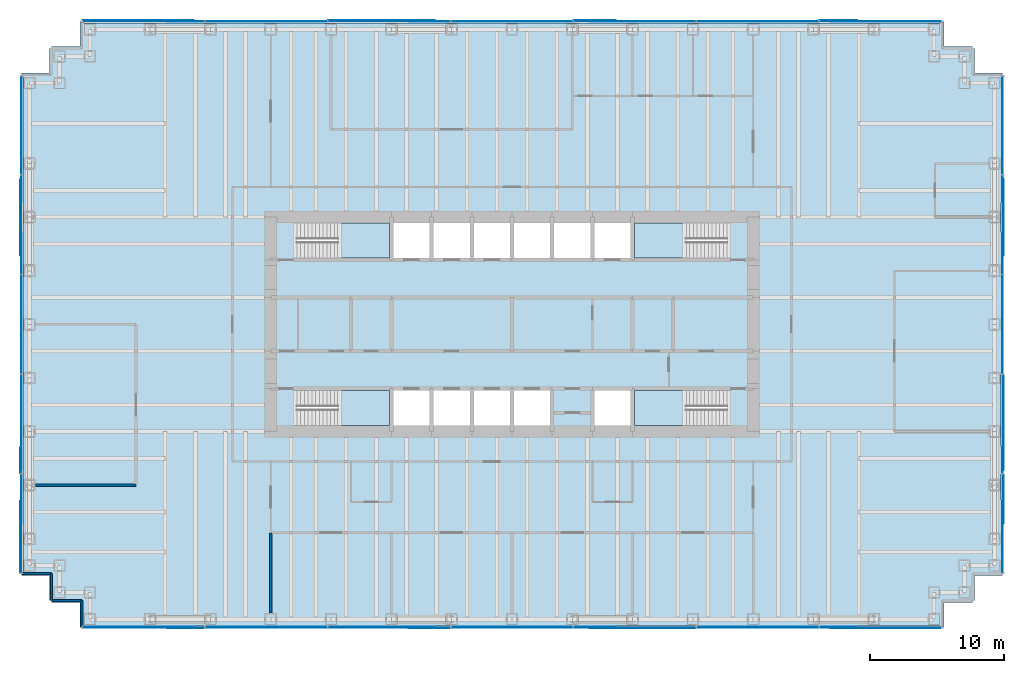
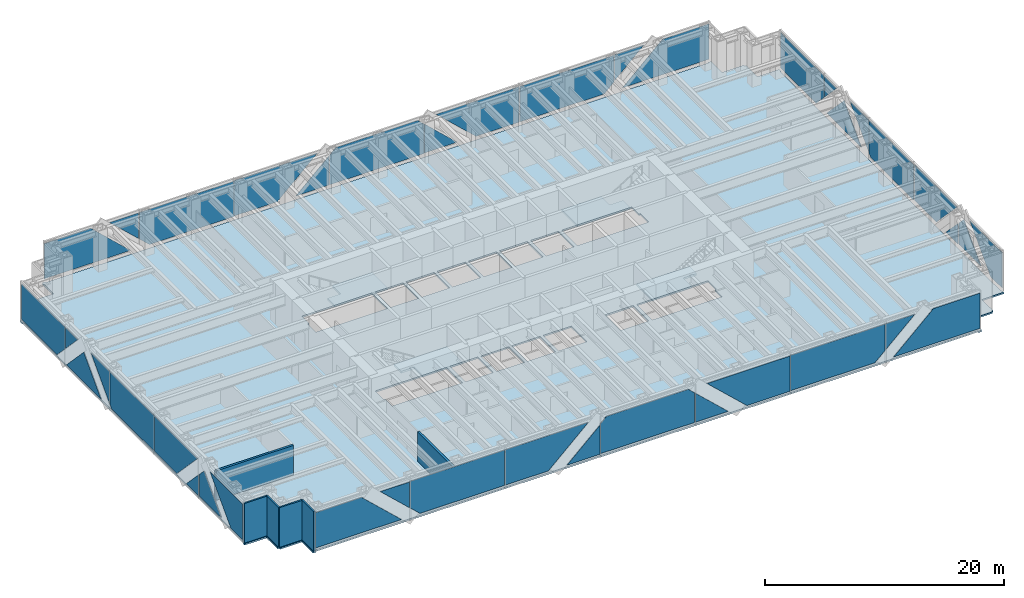
# One storey, part 10 of 15: 40 plates, 6 walls, 5 slabs, 8 elements without a shape of their own.
"""IFC4 building model written with IfcOpenShell, lengths in metres."""

from ifc_helpers import new_model, si_unit, direction, frame, frame_2d, origin, place, context, subcontext, project, spatial, polyline, rectangle, outline, extrude, material, layer, layer_set, type_object, element, aggregate, save


model = new_model("IFC4")

# Units and contexts
model_context = context("Model", 3, precision=1e-05, world=origin(), true_north=direction((0.0, 1.0)))
body_context = subcontext(model_context, "Body", "Model", "MODEL_VIEW")
ifc_project = project(units=[si_unit("LENGTHUNIT", "METRE"), si_unit("AREAUNIT", "SQUARE_METRE"), si_unit("VOLUMEUNIT", "CUBIC_METRE"), si_unit("PLANEANGLEUNIT", "RADIAN"), si_unit("MASSUNIT", "GRAM", prefix="KILO")], contexts=[model_context])

# Site, building, storey
site_placement = place(None, origin())
site = spatial("IfcSite", under=ifc_project, at=site_placement, CompositionType="ELEMENT")
building_placement = place(site_placement, origin())
building = spatial("IfcBuilding", under=site, at=building_placement, Name="Rheinbord Bourse Tower", CompositionType="ELEMENT")
storey_placement = place(building_placement, frame((0.0, 0.0, 146.699951171875)))
storey = spatial("IfcBuildingStorey", under=building, at=storey_placement, Name="L32", CompositionType="ELEMENT", Elevation=146.699951171875)

# Slab
ifc_material_1 = material(Name="Concrete C30/37", Category="concrete")
ifc_layer_1 = layer(ifc_material_1, 0.159912109375)
ifc_layer_set_1 = layer_set([ifc_layer_1], Name="COMPOSITE FLOOR SLAB 160")
slab_type_1 = type_object("IfcSlabType", Name="COMPOSITE FLOOR SLAB 160", PredefinedType="FLOOR", material=ifc_layer_set_1)
slab_1_placement = place(storey_placement, frame((0.0, 0.0, -0.159912109375)))
element("IfcSlab", 1, at=slab_1_placement, inside=storey, type_object=slab_type_1, Name="Floor slab L32", PredefinedType="FLOOR", context=body_context, shape_type="SweptSolid", body=[
    extrude(outline(polyline([(1.64990234375, 3.39990234375), (1.5, 3.39990234375), (1.5, 5.25), (-0.60009765625, 5.25), (-0.60009765625, 5.550048828125), (-0.5, 5.550048828125), (-0.5, 42.449951171875), (-0.60009765625, 42.449951171875), (-0.60009765625, 42.75), (1.5, 42.75), (1.5, 44.60009765625), (1.64990234375, 44.60009765625), (1.64990234375, 44.75), (3.75, 44.75), (3.75, 46.60009765625), (4.050048828125, 46.60009765625), (4.050048828125, 46.5), (67.949951171875, 46.5), (67.949951171875, 46.60009765625), (68.25, 46.60009765625), (68.25, 44.75), (70.35009765625, 44.75), (70.35009765625, 44.60009765625), (70.5, 44.60009765625), (70.5, 42.75), (72.60009765625, 42.75), (72.60009765625, 42.449951171875), (72.5, 42.449951171875), (72.5, 5.550048828125), (72.60009765625, 5.550048828125), (72.60009765625, 5.25), (70.5, 5.25), (70.5, 3.39990234375), (70.35009765625, 3.39990234375), (70.35009765625, 3.25), (68.25, 3.25), (68.25, 1.39990234375), (67.949951171875, 1.39990234375), (67.949951171875, 1.5), (4.050048828125, 1.5), (4.050048828125, 1.39990234375), (3.75, 1.39990234375), (3.75, 3.25), (1.64990234375, 3.25), (1.64990234375, 3.39990234375)]), holes=[polyline([(19.949951171875, 19.050048828125), (26.85009765625, 19.050048828125), (26.85009765625, 16.449951171875), (20.10009765625, 16.449951171875), (20.10009765625, 17.64990234375), (19.949951171875, 17.64990234375), (19.949951171875, 19.050048828125)]), polyline([(26.85009765625, 31.550048828125), (26.85009765625, 28.949951171875), (19.949951171875, 28.949951171875), (19.949951171875, 30.35009765625), (20.10009765625, 30.35009765625), (20.10009765625, 31.550048828125), (26.85009765625, 31.550048828125)]), polyline([(45.14990234375, 16.449951171875), (45.14990234375, 19.050048828125), (52.050048828125, 19.050048828125), (52.050048828125, 17.64990234375), (51.89990234375, 17.64990234375), (51.89990234375, 16.449951171875), (45.14990234375, 16.449951171875)]), polyline([(52.050048828125, 28.949951171875), (45.14990234375, 28.949951171875), (45.14990234375, 31.550048828125), (51.89990234375, 31.550048828125), (51.89990234375, 30.35009765625), (52.050048828125, 30.35009765625), (52.050048828125, 28.949951171875)]), polyline([(27.14990234375, 16.449951171875), (27.14990234375, 19.050048828125), (29.85009765625, 19.050048828125), (29.85009765625, 16.449951171875), (27.14990234375, 16.449951171875)]), polyline([(27.14990234375, 28.949951171875), (27.14990234375, 31.550048828125), (29.85009765625, 31.550048828125), (29.85009765625, 28.949951171875), (27.14990234375, 28.949951171875)]), polyline([(30.14990234375, 16.449951171875), (30.14990234375, 19.050048828125), (32.85009765625, 19.050048828125), (32.85009765625, 16.449951171875), (30.14990234375, 16.449951171875)]), polyline([(30.14990234375, 28.949951171875), (30.14990234375, 31.550048828125), (32.85009765625, 31.550048828125), (32.85009765625, 28.949951171875), (30.14990234375, 28.949951171875)]), polyline([(33.14990234375, 16.449951171875), (33.14990234375, 19.050048828125), (35.85009765625, 19.050048828125), (35.85009765625, 16.449951171875), (33.14990234375, 16.449951171875)]), polyline([(33.14990234375, 28.949951171875), (33.14990234375, 31.550048828125), (35.85009765625, 31.550048828125), (35.85009765625, 28.949951171875), (33.14990234375, 28.949951171875)]), polyline([(36.14990234375, 16.449951171875), (36.14990234375, 19.050048828125), (38.85009765625, 19.050048828125), (38.85009765625, 16.449951171875), (36.14990234375, 16.449951171875)]), polyline([(36.14990234375, 28.949951171875), (36.14990234375, 31.550048828125), (38.85009765625, 31.550048828125), (38.85009765625, 28.949951171875), (36.14990234375, 28.949951171875)]), polyline([(39.14990234375, 28.949951171875), (39.14990234375, 31.550048828125), (41.85009765625, 31.550048828125), (41.85009765625, 28.949951171875), (39.14990234375, 28.949951171875)]), polyline([(42.14990234375, 16.449951171875), (42.14990234375, 19.050048828125), (44.85009765625, 19.050048828125), (44.85009765625, 16.449951171875), (42.14990234375, 16.449951171875)]), polyline([(42.14990234375, 28.949951171875), (42.14990234375, 31.550048828125), (44.85009765625, 31.550048828125), (44.85009765625, 28.949951171875), (42.14990234375, 28.949951171875)])]), origin(), (0.0, 0.0, 1.0), 0.159912109375),
])

# Curtain wall, plates
ifc_material_2 = material(Name="Dark glass and black aluminium", Category="aluminium")
curtain_wall_type = type_object("IfcCurtainWallType", Name="CW2 DARK GLASS CURTAIN WALL", PredefinedType="USERDEFINED", material=ifc_material_2)
curtain_wall_1_placement = place(storey_placement, origin())
curtain_wall_1 = element("IfcCurtainWall", 2, at=curtain_wall_1_placement, inside=storey, type_object=curtain_wall_type, Name="Curtain wall CW2 S L32", ObjectType="UNITISED CURTAIN WALL", PredefinedType="USERDEFINED")
ifc_material_3 = material(Name="Dark tinted triple insulating glass", Category="glass")
ifc_layer_2 = layer(ifc_material_3, 0.050048828125)
ifc_layer_set_2 = layer_set([ifc_layer_2], Name="CW2 DARK GLASS PANEL")
plate_type = type_object("IfcPlateType", Name="CW2 DARK GLASS PANEL", PredefinedType="CURTAIN_PANEL", material=ifc_layer_set_2)
plate_1_placement = place(storey_placement, frame((3.969970703125, 1.375, 0.300048828125), z_axis=(0.0, 1.0, 0.0), x_axis=(0.0, 0.0, 1.0)))
plate_1 = element("IfcPlate", 3, at=plate_1_placement, type_object=plate_type, Name="CW2 glass facet 1", PredefinedType="CURTAIN_PANEL", context=body_context, shape_type="SweptSolid", body=[
    extrude(outline(polyline([(0.0, 0.0), (3.60009765625, 0.0), (3.60009765625, 4.465087890625), (0.0, 8.322021484375), (0.0, 0.0)])), origin(), (0.0, 0.0, 1.0), 0.050048828125),
])
plate_2_placement = place(storey_placement, frame((13.035888671875, 1.31982421875, 3.900146484375), z_axis=(0.0, 1.0, 0.0), x_axis=(0.0, 0.0, -1.0)))
plate_2 = element("IfcPlate", 4, at=plate_2_placement, type_object=plate_type, Name="CW2 glass facet 2", PredefinedType="CURTAIN_PANEL", context=body_context, shape_type="SweptSolid", body=[
    extrude(outline(polyline([(0.0, 0.0), (2.64013671875, 0.0), (0.0, 2.827880859375), (0.0, 0.0)])), origin(), (0.0, 0.0, 1.0), 0.050048828125),
])
plate_3_placement = place(storey_placement, frame((13.10595703125, 1.375, 3.900146484375), z_axis=(0.0, 1.0, 0.0), x_axis=(1.0, 0.0, 0.0)))
plate_3 = element("IfcPlate", 5, at=plate_3_placement, type_object=plate_type, Name="CW2 glass facet 1", PredefinedType="CURTAIN_PANEL", context=body_context, shape_type="SweptSolid", body=[
    extrude(outline(polyline([(0.0, 0.0), (9.10205078125, 0.0), (9.10205078125, 3.60009765625), (0.958984375, 3.60009765625), (0.0, 2.705078125), (0.0, 0.0)])), origin(), (0.0, 0.0, 1.0), 0.050048828125),
])
plate_4_placement = place(storey_placement, frame((22.278076171875, 1.375, 0.300048828125), z_axis=(0.0, 1.0, 0.0), x_axis=(0.0, 0.0, 1.0)))
plate_4 = element("IfcPlate", 6, at=plate_4_placement, type_object=plate_type, Name="CW2 glass facet 1", PredefinedType="CURTAIN_PANEL", context=body_context, shape_type="SweptSolid", body=[
    extrude(outline(polyline([(0.0, 0.0), (3.60009765625, 0.0), (3.60009765625, 8.013916015625), (0.0, 4.156982421875), (0.0, 0.0)])), origin(), (0.0, 0.0, 1.0), 0.050048828125),
])
plate_5_placement = place(storey_placement, frame((31.37890625, 1.31982421875, 0.300048828125), z_axis=(0.0, 1.0, 0.0), x_axis=(-1.0, 0.0, 0.0)))
plate_5 = element("IfcPlate", 7, at=plate_5_placement, type_object=plate_type, Name="CW2 glass facet 2", PredefinedType="CURTAIN_PANEL", context=body_context, shape_type="SweptSolid", body=[
    extrude(outline(polyline([(0.0, 0.0), (3.1708984375, 0.0), (0.0, 2.9599609375), (0.0, 0.0)])), origin(), (0.0, 0.0, 1.0), 0.050048828125),
])
plate_6_placement = place(storey_placement, frame((40.551025390625, 1.375, 0.300048828125), z_axis=(0.0, 1.0, 0.0), x_axis=(-1.0, 0.0, 0.0)))
plate_6 = element("IfcPlate", 8, at=plate_6_placement, type_object=plate_type, Name="CW2 glass facet 1", PredefinedType="CURTAIN_PANEL", context=body_context, shape_type="SweptSolid", body=[
    extrude(outline(polyline([(0.0, 0.0), (9.10205078125, 0.0), (9.10205078125, 3.02490234375), (8.486083984375, 3.60009765625), (0.615966796875, 3.60009765625), (0.0, 3.02490234375), (0.0, 0.0)])), origin(), (0.0, 0.0, 1.0), 0.050048828125),
])
plate_7_placement = place(storey_placement, frame((40.62109375, 1.375, 0.300048828125), z_axis=(0.0, 1.0, 0.0), x_axis=(0.0, 0.0, 1.0)))
plate_7 = element("IfcPlate", 9, at=plate_7_placement, type_object=plate_type, Name="CW2 glass facet 1", PredefinedType="CURTAIN_PANEL", context=body_context, shape_type="SweptSolid", body=[
    extrude(outline(polyline([(0.0, 0.0), (2.9599609375, 0.0), (0.0, 3.1708984375), (0.0, 0.0)])), origin(), (0.0, 0.0, 1.0), 0.050048828125),
])
plate_8_placement = place(storey_placement, frame((49.721923828125, 1.31982421875, 3.900146484375), z_axis=(0.0, 1.0, 0.0), x_axis=(0.0, 0.0, -1.0)))
plate_8 = element("IfcPlate", 10, at=plate_8_placement, type_object=plate_type, Name="CW2 glass facet 2", PredefinedType="CURTAIN_PANEL", context=body_context, shape_type="SweptSolid", body=[
    extrude(outline(polyline([(0.0, 0.0), (3.60009765625, 0.0), (3.60009765625, 4.156982421875), (0.0, 8.013916015625), (0.0, 0.0)])), origin(), (0.0, 0.0, 1.0), 0.050048828125),
])
plate_9_placement = place(storey_placement, frame((49.7919921875, 1.375, 0.300048828125), z_axis=(0.0, 1.0, 0.0), x_axis=(0.0, 0.0, 1.0)))
plate_9 = element("IfcPlate", 11, at=plate_9_placement, type_object=plate_type, Name="CW2 glass facet 1", PredefinedType="CURTAIN_PANEL", context=body_context, shape_type="SweptSolid", body=[
    extrude(outline(polyline([(0.0, 0.0), (3.60009765625, 0.0), (3.60009765625, 9.10205078125), (0.89501953125, 9.10205078125), (0.0, 8.14306640625), (0.0, 0.0)])), origin(), (0.0, 0.0, 1.0), 0.050048828125),
])
plate_10_placement = place(storey_placement, frame((58.964111328125, 1.375, 3.900146484375), z_axis=(0.0, 1.0, 0.0), x_axis=(1.0, 0.0, 0.0)))
plate_10 = element("IfcPlate", 12, at=plate_10_placement, type_object=plate_type, Name="CW2 glass facet 1", PredefinedType="CURTAIN_PANEL", context=body_context, shape_type="SweptSolid", body=[
    extrude(outline(polyline([(0.0, 0.0), (2.827880859375, 0.0), (0.0, 2.64013671875), (0.0, 0.0)])), origin(), (0.0, 0.0, 1.0), 0.050048828125),
])
plate_11_placement = place(storey_placement, frame((68.030029296875, 1.31982421875, 3.900146484375), z_axis=(0.0, 1.0, 0.0), x_axis=(0.0, 0.0, -1.0)))
plate_11 = element("IfcPlate", 13, at=plate_11_placement, type_object=plate_type, Name="CW2 glass facet 2", PredefinedType="CURTAIN_PANEL", context=body_context, shape_type="SweptSolid", body=[
    extrude(outline(polyline([(0.0, 0.0), (3.60009765625, 0.0), (3.60009765625, 8.322021484375), (0.0, 4.465087890625), (0.0, 0.0)])), origin(), (0.0, 0.0, 1.0), 0.050048828125),
])
aggregate(curtain_wall_1, [plate_1, plate_2, plate_3, plate_4, plate_5, plate_6, plate_7, plate_8, plate_9, plate_10, plate_11])

curtain_wall_2_placement = place(storey_placement, origin())
curtain_wall_2 = element("IfcCurtainWall", 14, at=curtain_wall_2_placement, inside=storey, type_object=curtain_wall_type, Name="Curtain wall CW2 E L32", ObjectType="UNITISED CURTAIN WALL", PredefinedType="USERDEFINED")
plate_12_placement = place(storey_placement, frame((72.625, 5.469970703125, 0.300048828125), z_axis=(-1.0, 0.0, 0.0), x_axis=(0.0, 0.0, 1.0)))
plate_12 = element("IfcPlate", 15, at=plate_12_placement, type_object=plate_type, Name="CW2 glass facet 1", PredefinedType="CURTAIN_PANEL", context=body_context, shape_type="SweptSolid", body=[
    extrude(outline(polyline([(0.0, 0.0), (3.60009765625, 0.0), (3.60009765625, 5.408935546875), (0.0, 1.97998046875), (0.0, 0.0)])), origin(), (0.0, 0.0, 1.0), 0.050048828125),
])
plate_13_placement = place(storey_placement, frame((72.68017578125, 12.804931640625, 0.300048828125), z_axis=(-1.0, 0.0, 0.0), x_axis=(0.0, -1.0, 0.0)))
plate_13 = element("IfcPlate", 16, at=plate_13_placement, type_object=plate_type, Name="CW2 glass facet 2", PredefinedType="CURTAIN_PANEL", context=body_context, shape_type="SweptSolid", body=[
    extrude(outline(polyline([(0.0, 0.0), (3.683837890625, 0.0), (0.804931640625, 3.02294921875), (0.0, 2.177978515625), (0.0, 0.0)])), origin(), (0.0, 0.0, 1.0), 0.050048828125),
])
plate_14_placement = place(storey_placement, frame((72.625, 12.875, 0.300048828125), z_axis=(-1.0, 0.0, 0.0), x_axis=(0.0, 0.0, 1.0)))
plate_14 = element("IfcPlate", 17, at=plate_14_placement, type_object=plate_type, Name="CW2 glass facet 1", PredefinedType="CURTAIN_PANEL", context=body_context, shape_type="SweptSolid", body=[
    extrude(outline(polyline([(0.0, 0.0), (2.10400390625, 0.0), (0.0, 2.00390625), (0.0, 0.0)])), origin(), (0.0, 0.0, 1.0), 0.050048828125),
])
plate_15_placement = place(storey_placement, frame((72.68017578125, 20.2451171875, 3.900146484375), z_axis=(-1.0, 0.0, 0.0), x_axis=(0.0, 0.0, -1.0)))
plate_15 = element("IfcPlate", 18, at=plate_15_placement, type_object=plate_type, Name="CW2 glass facet 2", PredefinedType="CURTAIN_PANEL", context=body_context, shape_type="SweptSolid", body=[
    extrude(outline(polyline([(0.0, 0.0), (3.60009765625, 0.0), (3.60009765625, 3.695068359375), (0.0, 7.1240234375), (0.0, 0.0)])), origin(), (0.0, 0.0, 1.0), 0.050048828125),
])
plate_16_placement = place(storey_placement, frame((72.625, 20.31494140625, 0.300048828125), z_axis=(-1.0, 0.0, 0.0), x_axis=(0.0, 0.0, 1.0)))
plate_16 = element("IfcPlate", 19, at=plate_16_placement, type_object=plate_type, Name="CW2 glass facet 1", PredefinedType="CURTAIN_PANEL", context=body_context, shape_type="SweptSolid", body=[
    extrude(outline(polyline([(0.0, 0.0), (3.60009765625, 0.0), (3.60009765625, 7.3701171875), (0.24609375, 7.3701171875), (0.0, 7.135009765625), (0.0, 0.0)])), origin(), (0.0, 0.0, 1.0), 0.050048828125),
])
plate_17_placement = place(storey_placement, frame((72.625, 27.7548828125, 3.900146484375), z_axis=(-1.0, 0.0, 0.0), x_axis=(0.0, 1.0, 0.0)))
plate_17 = element("IfcPlate", 20, at=plate_17_placement, type_object=plate_type, Name="CW2 glass facet 1", PredefinedType="CURTAIN_PANEL", context=body_context, shape_type="SweptSolid", body=[
    extrude(outline(polyline([(0.0, 0.0), (3.1240234375, 0.0), (0.0, 3.280029296875), (0.0, 0.0)])), origin(), (0.0, 0.0, 1.0), 0.050048828125),
])
plate_18_placement = place(storey_placement, frame((72.68017578125, 29.12109375, 0.300048828125), z_axis=(-1.0, 0.0, 0.0), x_axis=(0.0, 0.68964348943, 0.724149057506)))
plate_18 = element("IfcPlate", 21, at=plate_18_placement, type_object=plate_type, Name="CW2 glass facet 2", PredefinedType="CURTAIN_PANEL", context=body_context, shape_type="SweptSolid", body=[
    extrude(outline(polyline([(0.0, 0.0), (4.174560546875, 0.0), (3.970947265625, 4.16943359375), (0.0, 0.0)])), origin(), (0.0, 0.0, 1.0), 0.050048828125),
])
plate_19_placement = place(storey_placement, frame((72.625, 35.125, 3.900146484375), z_axis=(-1.0, 0.0, 0.0), x_axis=(0.0, 0.0, -1.0)))
plate_19 = element("IfcPlate", 22, at=plate_19_placement, type_object=plate_type, Name="CW2 glass facet 3", PredefinedType="CURTAIN_PANEL", context=body_context, shape_type="SweptSolid", body=[
    extrude(outline(polyline([(0.0, 0.0), (2.10400390625, 0.0), (0.0, 2.00390625), (0.0, 0.0)])), origin(), (0.0, 0.0, 1.0), 0.050048828125),
])
plate_20_placement = place(storey_placement, frame((72.625, 35.195068359375, 3.900146484375), z_axis=(-1.0, 0.0, 0.0), x_axis=(0.0, 1.0, 0.0)))
plate_20 = element("IfcPlate", 23, at=plate_20_placement, type_object=plate_type, Name="CW2 glass facet 1", PredefinedType="CURTAIN_PANEL", context=body_context, shape_type="SweptSolid", body=[
    extrude(outline(polyline([(0.0, 0.0), (7.3349609375, 0.0), (7.3349609375, 3.60009765625), (1.35498046875, 3.60009765625), (0.0, 2.177001953125), (0.0, 0.0)])), origin(), (0.0, 0.0, 1.0), 0.050048828125),
])
aggregate(curtain_wall_2, [plate_12, plate_13, plate_14, plate_15, plate_16, plate_17, plate_18, plate_19, plate_20])

curtain_wall_3_placement = place(storey_placement, origin())
curtain_wall_3 = element("IfcCurtainWall", 24, at=curtain_wall_3_placement, inside=storey, type_object=curtain_wall_type, Name="Curtain wall CW2 N L32", ObjectType="UNITISED CURTAIN WALL", PredefinedType="USERDEFINED")
plate_21_placement = place(storey_placement, frame((68.030029296875, 46.625, 0.300048828125), z_axis=(0.0, -1.0, 0.0), x_axis=(0.0, 0.0, 1.0)))
plate_21 = element("IfcPlate", 25, at=plate_21_placement, type_object=plate_type, Name="CW2 glass facet 1", PredefinedType="CURTAIN_PANEL", context=body_context, shape_type="SweptSolid", body=[
    extrude(outline(polyline([(0.0, 0.0), (3.60009765625, 0.0), (3.60009765625, 4.465087890625), (0.0, 8.322021484375), (0.0, 0.0)])), origin(), (0.0, 0.0, 1.0), 0.050048828125),
])
plate_22_placement = place(storey_placement, frame((58.964111328125, 46.68017578125, 3.900146484375), z_axis=(0.0, -1.0, 0.0), x_axis=(0.0, 0.0, -1.0)))
plate_22 = element("IfcPlate", 26, at=plate_22_placement, type_object=plate_type, Name="CW2 glass facet 2", PredefinedType="CURTAIN_PANEL", context=body_context, shape_type="SweptSolid", body=[
    extrude(outline(polyline([(0.0, 0.0), (2.64013671875, 0.0), (0.0, 2.827880859375), (0.0, 0.0)])), origin(), (0.0, 0.0, 1.0), 0.050048828125),
])
plate_23_placement = place(storey_placement, frame((58.89404296875, 46.625, 3.900146484375), z_axis=(0.0, -1.0, 0.0), x_axis=(-1.0, 0.0, 0.0)))
plate_23 = element("IfcPlate", 27, at=plate_23_placement, type_object=plate_type, Name="CW2 glass facet 1", PredefinedType="CURTAIN_PANEL", context=body_context, shape_type="SweptSolid", body=[
    extrude(outline(polyline([(0.0, 0.0), (9.10205078125, 0.0), (9.10205078125, 3.60009765625), (0.958984375, 3.60009765625), (0.0, 2.705078125), (0.0, 0.0)])), origin(), (0.0, 0.0, 1.0), 0.050048828125),
])
plate_24_placement = place(storey_placement, frame((49.721923828125, 46.625, 0.300048828125), z_axis=(0.0, -1.0, 0.0), x_axis=(0.0, 0.0, 1.0)))
plate_24 = element("IfcPlate", 28, at=plate_24_placement, type_object=plate_type, Name="CW2 glass facet 1", PredefinedType="CURTAIN_PANEL", context=body_context, shape_type="SweptSolid", body=[
    extrude(outline(polyline([(0.0, 0.0), (3.60009765625, 0.0), (3.60009765625, 8.013916015625), (0.0, 4.156982421875), (0.0, 0.0)])), origin(), (0.0, 0.0, 1.0), 0.050048828125),
])
plate_25_placement = place(storey_placement, frame((40.62109375, 46.68017578125, 0.300048828125), z_axis=(0.0, -1.0, 0.0), x_axis=(1.0, 0.0, 0.0)))
plate_25 = element("IfcPlate", 29, at=plate_25_placement, type_object=plate_type, Name="CW2 glass facet 2", PredefinedType="CURTAIN_PANEL", context=body_context, shape_type="SweptSolid", body=[
    extrude(outline(polyline([(0.0, 0.0), (3.1708984375, 0.0), (0.0, 2.9599609375), (0.0, 0.0)])), origin(), (0.0, 0.0, 1.0), 0.050048828125),
])
plate_26_placement = place(storey_placement, frame((31.448974609375, 46.625, 0.300048828125), z_axis=(0.0, -1.0, 0.0), x_axis=(1.0, 0.0, 0.0)))
plate_26 = element("IfcPlate", 30, at=plate_26_placement, type_object=plate_type, Name="CW2 glass facet 1", PredefinedType="CURTAIN_PANEL", context=body_context, shape_type="SweptSolid", body=[
    extrude(outline(polyline([(0.0, 0.0), (9.10205078125, 0.0), (9.10205078125, 3.02490234375), (8.486083984375, 3.60009765625), (0.615966796875, 3.60009765625), (0.0, 3.02490234375), (0.0, 0.0)])), origin(), (0.0, 0.0, 1.0), 0.050048828125),
])
plate_27_placement = place(storey_placement, frame((31.37890625, 46.625, 0.300048828125), z_axis=(0.0, -1.0, 0.0), x_axis=(0.0, 0.0, 1.0)))
plate_27 = element("IfcPlate", 31, at=plate_27_placement, type_object=plate_type, Name="CW2 glass facet 1", PredefinedType="CURTAIN_PANEL", context=body_context, shape_type="SweptSolid", body=[
    extrude(outline(polyline([(0.0, 0.0), (2.9599609375, 0.0), (0.0, 3.1708984375), (0.0, 0.0)])), origin(), (0.0, 0.0, 1.0), 0.050048828125),
])
plate_28_placement = place(storey_placement, frame((22.278076171875, 46.68017578125, 3.900146484375), z_axis=(0.0, -1.0, 0.0), x_axis=(0.0, 0.0, -1.0)))
plate_28 = element("IfcPlate", 32, at=plate_28_placement, type_object=plate_type, Name="CW2 glass facet 2", PredefinedType="CURTAIN_PANEL", context=body_context, shape_type="SweptSolid", body=[
    extrude(outline(polyline([(0.0, 0.0), (3.60009765625, 0.0), (3.60009765625, 4.156982421875), (0.0, 8.013916015625), (0.0, 0.0)])), origin(), (0.0, 0.0, 1.0), 0.050048828125),
])
plate_29_placement = place(storey_placement, frame((22.2080078125, 46.625, 0.300048828125), z_axis=(0.0, -1.0, 0.0), x_axis=(0.0, 0.0, 1.0)))
plate_29 = element("IfcPlate", 33, at=plate_29_placement, type_object=plate_type, Name="CW2 glass facet 1", PredefinedType="CURTAIN_PANEL", context=body_context, shape_type="SweptSolid", body=[
    extrude(outline(polyline([(0.0, 0.0), (3.60009765625, 0.0), (3.60009765625, 9.10205078125), (0.89501953125, 9.10205078125), (0.0, 8.14306640625), (0.0, 0.0)])), origin(), (0.0, 0.0, 1.0), 0.050048828125),
])
plate_30_placement = place(storey_placement, frame((13.035888671875, 46.625, 3.900146484375), z_axis=(0.0, -1.0, 0.0), x_axis=(-1.0, 0.0, 0.0)))
plate_30 = element("IfcPlate", 34, at=plate_30_placement, type_object=plate_type, Name="CW2 glass facet 1", PredefinedType="CURTAIN_PANEL", context=body_context, shape_type="SweptSolid", body=[
    extrude(outline(polyline([(0.0, 0.0), (2.827880859375, 0.0), (0.0, 2.64013671875), (0.0, 0.0)])), origin(), (0.0, 0.0, 1.0), 0.050048828125),
])
plate_31_placement = place(storey_placement, frame((3.969970703125, 46.68017578125, 3.900146484375), z_axis=(0.0, -1.0, 0.0), x_axis=(0.0, 0.0, -1.0)))
plate_31 = element("IfcPlate", 35, at=plate_31_placement, type_object=plate_type, Name="CW2 glass facet 2", PredefinedType="CURTAIN_PANEL", context=body_context, shape_type="SweptSolid", body=[
    extrude(outline(polyline([(0.0, 0.0), (3.60009765625, 0.0), (3.60009765625, 8.322021484375), (0.0, 4.465087890625), (0.0, 0.0)])), origin(), (0.0, 0.0, 1.0), 0.050048828125),
])
aggregate(curtain_wall_3, [plate_21, plate_22, plate_23, plate_24, plate_25, plate_26, plate_27, plate_28, plate_29, plate_30, plate_31])

curtain_wall_4_placement = place(storey_placement, origin())
curtain_wall_4 = element("IfcCurtainWall", 36, at=curtain_wall_4_placement, inside=storey, type_object=curtain_wall_type, Name="Curtain wall CW2 W L32", ObjectType="UNITISED CURTAIN WALL", PredefinedType="USERDEFINED")
plate_32_placement = place(storey_placement, frame((-0.625, 42.530029296875, 0.300048828125), z_axis=(1.0, 0.0, 0.0), x_axis=(0.0, 0.0, 1.0)))
plate_32 = element("IfcPlate", 37, at=plate_32_placement, type_object=plate_type, Name="CW2 glass facet 1", PredefinedType="CURTAIN_PANEL", context=body_context, shape_type="SweptSolid", body=[
    extrude(outline(polyline([(0.0, 0.0), (3.60009765625, 0.0), (3.60009765625, 7.3349609375), (1.423095703125, 7.3349609375), (0.0, 5.97998046875), (0.0, 0.0)])), origin(), (0.0, 0.0, 1.0), 0.050048828125),
])
plate_33_placement = place(storey_placement, frame((-0.625, 35.125, 3.900146484375), z_axis=(1.0, 0.0, 0.0), x_axis=(0.0, -1.0, 0.0)))
plate_33 = element("IfcPlate", 38, at=plate_33_placement, type_object=plate_type, Name="CW2 glass facet 1", PredefinedType="CURTAIN_PANEL", context=body_context, shape_type="SweptSolid", body=[
    extrude(outline(polyline([(0.0, 0.0), (2.00390625, 0.0), (0.0, 2.10400390625), (0.0, 0.0)])), origin(), (0.0, 0.0, 1.0), 0.050048828125),
])
plate_34_placement = place(storey_placement, frame((-0.68017578125, 34.87890625, 0.300048828125), z_axis=(1.0, 0.0, 0.0), x_axis=(0.0, -0.68964348943, 0.724149057506)))
plate_34 = element("IfcPlate", 39, at=plate_34_placement, type_object=plate_type, Name="CW2 glass facet 2", PredefinedType="CURTAIN_PANEL", context=body_context, shape_type="SweptSolid", body=[
    extrude(outline(polyline([(0.0, 0.0), (4.174560546875, 0.0), (3.970947265625, 4.16943359375), (0.0, 0.0)])), origin(), (0.0, 0.0, 1.0), 0.050048828125),
])
plate_35_placement = place(storey_placement, frame((-0.625, 27.7548828125, 3.900146484375), z_axis=(1.0, 0.0, 0.0), x_axis=(0.0, 0.0, -1.0)))
plate_35 = element("IfcPlate", 40, at=plate_35_placement, type_object=plate_type, Name="CW2 glass facet 3", PredefinedType="CURTAIN_PANEL", context=body_context, shape_type="SweptSolid", body=[
    extrude(outline(polyline([(0.0, 0.0), (3.280029296875, 0.0), (0.0, 3.1240234375), (0.0, 0.0)])), origin(), (0.0, 0.0, 1.0), 0.050048828125),
])
plate_36_placement = place(storey_placement, frame((-0.625, 27.68505859375, 3.900146484375), z_axis=(1.0, 0.0, 0.0), x_axis=(0.0, -1.0, 0.0)))
plate_36 = element("IfcPlate", 41, at=plate_36_placement, type_object=plate_type, Name="CW2 glass facet 1", PredefinedType="CURTAIN_PANEL", context=body_context, shape_type="SweptSolid", body=[
    extrude(outline(polyline([(0.0, 0.0), (7.3701171875, 0.0), (7.3701171875, 3.60009765625), (0.235107421875, 3.60009765625), (0.0, 3.35400390625), (0.0, 0.0)])), origin(), (0.0, 0.0, 1.0), 0.050048828125),
])
plate_37_placement = place(storey_placement, frame((-0.625, 20.2451171875, 0.300048828125), z_axis=(1.0, 0.0, 0.0), x_axis=(0.0, 0.0, 1.0)))
plate_37 = element("IfcPlate", 42, at=plate_37_placement, type_object=plate_type, Name="CW2 glass facet 1", PredefinedType="CURTAIN_PANEL", context=body_context, shape_type="SweptSolid", body=[
    extrude(outline(polyline([(0.0, 0.0), (3.60009765625, 0.0), (3.60009765625, 7.1240234375), (0.0, 3.695068359375), (0.0, 0.0)])), origin(), (0.0, 0.0, 1.0), 0.050048828125),
])
plate_38_placement = place(storey_placement, frame((-0.68017578125, 12.875, 0.300048828125), z_axis=(1.0, 0.0, 0.0), x_axis=(0.0, 1.0, 0.0)))
plate_38 = element("IfcPlate", 43, at=plate_38_placement, type_object=plate_type, Name="CW2 glass facet 2", PredefinedType="CURTAIN_PANEL", context=body_context, shape_type="SweptSolid", body=[
    extrude(outline(polyline([(0.0, 0.0), (2.00390625, 0.0), (0.0, 2.10400390625), (0.0, 0.0)])), origin(), (0.0, 0.0, 1.0), 0.050048828125),
])
plate_39_placement = place(storey_placement, frame((-0.625, 12.804931640625, 0.300048828125), z_axis=(1.0, 0.0, 0.0), x_axis=(0.0, 0.0, 1.0)))
plate_39 = element("IfcPlate", 44, at=plate_39_placement, type_object=plate_type, Name="CW2 glass facet 1", PredefinedType="CURTAIN_PANEL", context=body_context, shape_type="SweptSolid", body=[
    extrude(outline(polyline([(0.0, 0.0), (2.177978515625, 0.0), (3.02294921875, 0.804931640625), (0.0, 3.683837890625), (0.0, 0.0)])), origin(), (0.0, 0.0, 1.0), 0.050048828125),
])
plate_40_placement = place(storey_placement, frame((-0.68017578125, 5.469970703125, 3.900146484375), z_axis=(1.0, 0.0, 0.0), x_axis=(0.0, 0.0, -1.0)))
plate_40 = element("IfcPlate", 45, at=plate_40_placement, type_object=plate_type, Name="CW2 glass facet 2", PredefinedType="CURTAIN_PANEL", context=body_context, shape_type="SweptSolid", body=[
    extrude(outline(polyline([(0.0, 0.0), (3.60009765625, 0.0), (3.60009765625, 1.97998046875), (0.0, 5.408935546875), (0.0, 0.0)])), origin(), (0.0, 0.0, 1.0), 0.050048828125),
])
aggregate(curtain_wall_4, [plate_32, plate_33, plate_34, plate_35, plate_36, plate_37, plate_38, plate_39, plate_40])

# Stair, slab
ifc_material_4 = material(Name="Concrete C30/37", Category="concrete")
stair_type = type_object("IfcStairType", Name="CORE STAIR HALF TURN 4200", PredefinedType="HALF_TURN_STAIR", material=ifc_material_4)
stair_1_placement = place(storey_placement, origin())
stair_1 = element("IfcStair", 46, at=stair_1_placement, inside=storey, type_object=stair_type, Name="Stair ST1 L32, type CS6", PredefinedType="HALF_TURN_STAIR")
ifc_material_5 = material(Name="Concrete C30/37", Category="concrete")
ifc_layer_3 = layer(ifc_material_5, 0.199951171875)
ifc_layer_set_3 = layer_set([ifc_layer_3], Name="STAIR LANDING 200")
slab_type_2 = type_object("IfcSlabType", Name="STAIR LANDING 200", PredefinedType="LANDING", material=ifc_layer_set_3)
slab_2_placement = place(storey_placement, frame((0.0, 0.0, 1.900146484375)))
slab_2 = element("IfcSlab", 47, at=slab_2_placement, type_object=slab_type_2, Name="Half landing ST1 L32", PredefinedType="LANDING", context=body_context, shape_type="SweptSolid", body=[
    extrude(outline(polyline([(23.030029296875, 16.449951171875), (26.85009765625, 16.449951171875), (26.85009765625, 19.050048828125), (21.748046875, 19.050048828125), (21.748046875, 17.85009765625), (23.030029296875, 17.85009765625), (23.030029296875, 16.449951171875)])), origin(), (0.0, 0.0, 1.0), 0.199951171875),
])
aggregate(stair_1, [slab_2])

stair_2_placement = place(storey_placement, origin())
stair_2 = element("IfcStair", 48, at=stair_2_placement, inside=storey, type_object=stair_type, Name="Stair ST2 L32, type CS6", PredefinedType="HALF_TURN_STAIR")
slab_3_placement = place(storey_placement, frame((0.0, 0.0, 1.900146484375)))
slab_3 = element("IfcSlab", 49, at=slab_3_placement, type_object=slab_type_2, Name="Half landing ST2 L32", PredefinedType="LANDING", context=body_context, shape_type="SweptSolid", body=[
    extrude(outline(polyline([(21.748046875, 28.949951171875), (26.85009765625, 28.949951171875), (26.85009765625, 31.550048828125), (23.030029296875, 31.550048828125), (23.030029296875, 30.14990234375), (21.748046875, 30.14990234375), (21.748046875, 28.949951171875)])), origin(), (0.0, 0.0, 1.0), 0.199951171875),
])
aggregate(stair_2, [slab_3])

stair_3_placement = place(storey_placement, origin())
stair_3 = element("IfcStair", 50, at=stair_3_placement, inside=storey, type_object=stair_type, Name="Stair ST3 L32, type CS6", PredefinedType="HALF_TURN_STAIR")
slab_4_placement = place(storey_placement, frame((0.0, 0.0, 1.900146484375)))
slab_4 = element("IfcSlab", 51, at=slab_4_placement, type_object=slab_type_2, Name="Half landing ST3 L32", PredefinedType="LANDING", context=body_context, shape_type="SweptSolid", body=[
    extrude(outline(polyline([(45.14990234375, 16.449951171875), (48.969970703125, 16.449951171875), (48.969970703125, 17.85009765625), (50.251953125, 17.85009765625), (50.251953125, 19.050048828125), (45.14990234375, 19.050048828125), (45.14990234375, 16.449951171875)])), origin(), (0.0, 0.0, 1.0), 0.199951171875),
])
aggregate(stair_3, [slab_4])

stair_4_placement = place(storey_placement, origin())
stair_4 = element("IfcStair", 52, at=stair_4_placement, inside=storey, type_object=stair_type, Name="Stair ST4 L32, type CS6", PredefinedType="HALF_TURN_STAIR")
slab_5_placement = place(storey_placement, frame((0.0, 0.0, 1.900146484375)))
slab_5 = element("IfcSlab", 53, at=slab_5_placement, type_object=slab_type_2, Name="Half landing ST4 L32", PredefinedType="LANDING", context=body_context, shape_type="SweptSolid", body=[
    extrude(outline(polyline([(45.14990234375, 28.949951171875), (50.251953125, 28.949951171875), (50.251953125, 30.14990234375), (48.969970703125, 30.14990234375), (48.969970703125, 31.550048828125), (45.14990234375, 31.550048828125), (45.14990234375, 28.949951171875)])), origin(), (0.0, 0.0, 1.0), 0.199951171875),
])
aggregate(stair_4, [slab_5])

# Walls
ifc_material_6 = material(Name="Acoustic gypsum board partition", Category="gypsum board")
ifc_layer_4 = layer(ifc_material_6, 0.199951171875)
ifc_layer_set_4 = layer_set([ifc_layer_4], Name="ACOUSTIC PARTITION 200")
wall_type_1 = type_object("IfcWallType", Name="ACOUSTIC PARTITION 200", PredefinedType="PARTITIONING", material=ifc_layer_set_4)
wall_1_placement = place(storey_placement, frame((0.449951171875, 12.0, 0.0), z_axis=(0.0, 0.0, 1.0), x_axis=(1.0, 0.0, 0.0)))
element("IfcWall", 54, at=wall_1_placement, inside=storey, type_object=wall_type_1, Name="Partition L32-04", PredefinedType="PARTITIONING", context=body_context, shape_type="SweptSolid", body=[
    extrude(rectangle(XDim=7.5, YDim=0.199951171875, at=frame_2d((3.75, 0.0))), origin(), (0.0, 0.0, 1.0), 3.0),
])
wall_2_placement = place(storey_placement, frame((18.0, 2.449951171875, 0.0), z_axis=(0.0, 0.0, 1.0), x_axis=(0.0, 1.0, 0.0)))
element("IfcWall", 55, at=wall_2_placement, inside=storey, type_object=wall_type_1, Name="Partition L32-16", PredefinedType="PARTITIONING", context=body_context, shape_type="SweptSolid", body=[
    extrude(rectangle(XDim=6.0, YDim=0.199951171875, at=frame_2d((3.0, 0.0))), origin(), (0.0, 0.0, 1.0), 3.0),
])
ifc_material_7 = material(Name="Black metal rainscreen panel", Category="aluminium")
ifc_layer_5 = layer(ifc_material_7, 0.14990234375)
ifc_layer_set_5 = layer_set([ifc_layer_5], Name="CORNER PIER CLADDING 150")
wall_type_2 = type_object("IfcWallType", Name="CORNER PIER CLADDING 150", PredefinedType="ELEMENTEDWALL", material=ifc_layer_set_5)
wall_3_placement = place(storey_placement, frame((-0.60009765625, 5.39990234375, 0.0), z_axis=(0.0, 0.0, 1.0), x_axis=(1.0, 0.0, 0.0)))
element("IfcWall", 56, at=wall_3_placement, inside=storey, type_object=wall_type_2, Name="Corner pier cladding L32 17", PredefinedType="ELEMENTEDWALL", context=body_context, shape_type="SweptSolid", body=[
    extrude(rectangle(XDim=2.25, YDim=0.14990234375, at=frame_2d((1.125, 0.0))), origin(), (0.0, 0.0, 1.0), 4.0400390625),
])
wall_4_placement = place(storey_placement, frame((1.64990234375, 5.39990234375, 0.0), z_axis=(0.0, 0.0, 1.0), x_axis=(0.0, -1.0, 0.0)))
element("IfcWall", 57, at=wall_4_placement, inside=storey, type_object=wall_type_2, Name="Corner pier cladding L32 18", PredefinedType="ELEMENTEDWALL", context=body_context, shape_type="SweptSolid", body=[
    extrude(rectangle(XDim=2.0, YDim=0.14990234375, at=frame_2d((1.0, 0.0))), origin(), (0.0, 0.0, 1.0), 4.0400390625),
])
wall_5_placement = place(storey_placement, frame((1.64990234375, 3.39990234375, 0.0), z_axis=(0.0, 0.0, 1.0), x_axis=(1.0, 0.0, 0.0)))
element("IfcWall", 58, at=wall_5_placement, inside=storey, type_object=wall_type_2, Name="Corner pier cladding L32 19", PredefinedType="ELEMENTEDWALL", context=body_context, shape_type="SweptSolid", body=[
    extrude(rectangle(XDim=2.25, YDim=0.14990234375, at=frame_2d((1.125, 0.0))), origin(), (0.0, 0.0, 1.0), 4.0400390625),
])
wall_6_placement = place(storey_placement, frame((3.89990234375, 3.39990234375, 0.0), z_axis=(0.0, 0.0, 1.0), x_axis=(0.0, -1.0, 0.0)))
element("IfcWall", 59, at=wall_6_placement, inside=storey, type_object=wall_type_2, Name="Corner pier cladding L32 20", PredefinedType="ELEMENTEDWALL", context=body_context, shape_type="SweptSolid", body=[
    extrude(rectangle(XDim=2.0, YDim=0.14990234375, at=frame_2d((1.0, 0.0))), origin(), (0.0, 0.0, 1.0), 4.0400390625),
])

save(model, "model.ifc")
